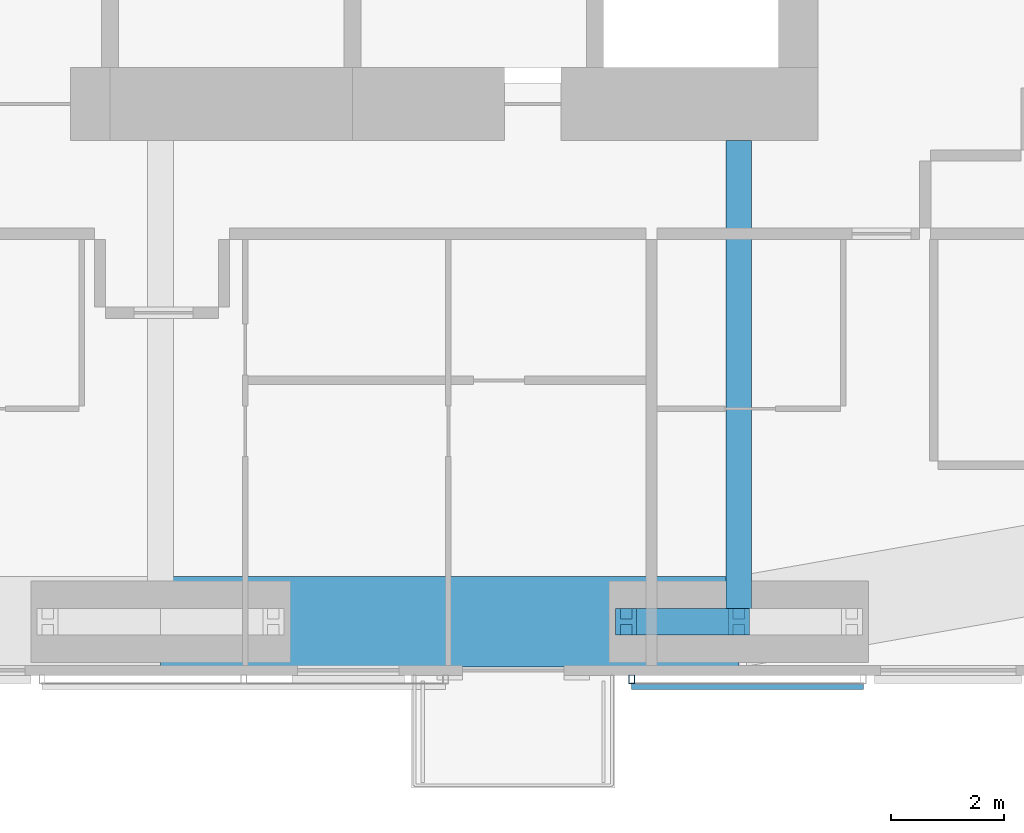
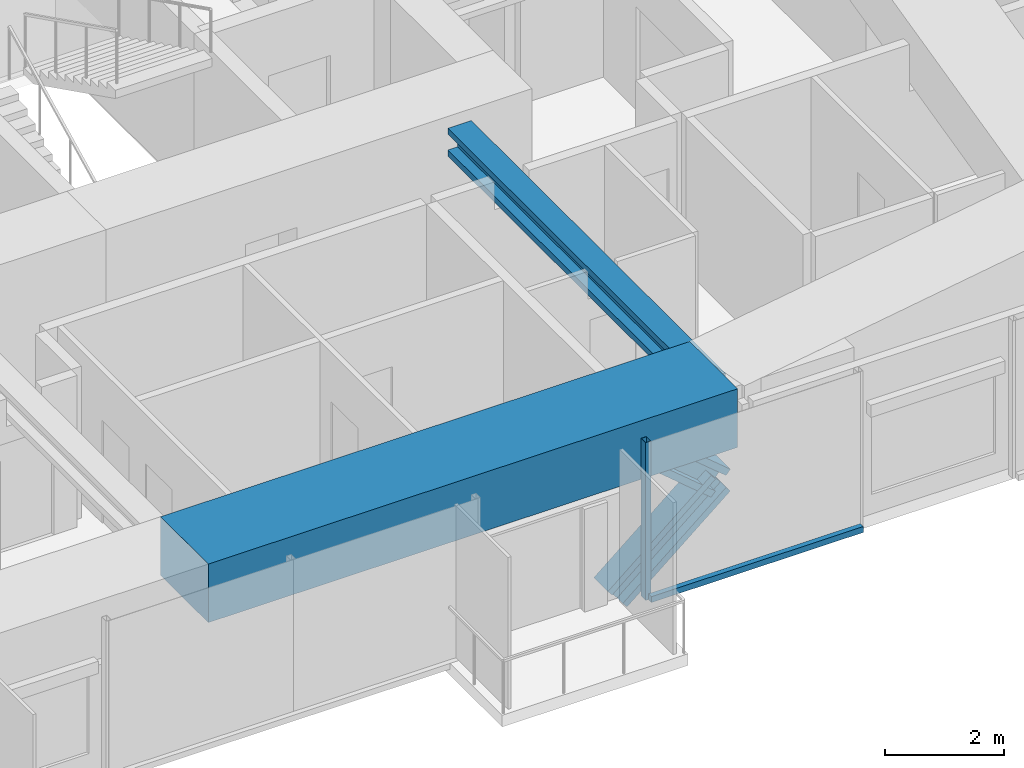
# One storey, part 4 of 22: 4 members, 2 beams, 1 element without a shape of its own.
"""IFC4 building model written with IfcOpenShell, lengths in metres."""

from ifc_helpers import new_model, si_unit, direction, frame, origin, origin_2d, place, context, subcontext, project, spatial, rectangle, hollow_rectangle, i_section, extrude, material, material_profile, profile_set, type_object, element, aggregate, save


model = new_model("IFC4")

# Units and contexts
model_context = context("Model", 3, precision=1e-05, world=origin(), true_north=direction((0.0, 1.0)))
body_context = subcontext(model_context, "Body", "Model", "MODEL_VIEW")
ifc_project = project(units=[si_unit("LENGTHUNIT", "METRE"), si_unit("AREAUNIT", "SQUARE_METRE"), si_unit("VOLUMEUNIT", "CUBIC_METRE"), si_unit("PLANEANGLEUNIT", "RADIAN"), si_unit("MASSUNIT", "GRAM", prefix="KILO")], contexts=[model_context])

# Site, building, storey
site_placement = place(None, origin())
site = spatial("IfcSite", under=ifc_project, at=site_placement, CompositionType="ELEMENT")
building_placement = place(site_placement, origin())
building = spatial("IfcBuilding", under=site, at=building_placement, Name="Jalousie Tower", CompositionType="ELEMENT")
storey_placement = place(building_placement, frame((0.0, 0.0, 177.800048828125)))
storey = spatial("IfcBuildingStorey", under=building, at=storey_placement, Name="L48", CompositionType="ELEMENT", Elevation=177.800048828125)

# Beam
ifc_material_1 = material(Name="Steel ASTM A992 Grade 50", Category="steel")
ifc_material_profile_1 = material_profile(ifc_material_1, i_section(OverallWidth=0.45458984375, OverallDepth=0.569091796875, WebThickness=0.077880859375, FlangeThickness=0.124755859375, at=origin_2d()), Name="W14X730")
ifc_profile_set_1 = profile_set([ifc_material_profile_1], Name="Steel ASTM A992 Grade 50")
beam_type_1 = type_object("IfcBeamType", Name="LEAN COLLECTOR W14X730", PredefinedType="BEAM", material=ifc_profile_set_1)
beam_1_placement = place(storey_placement, frame((42.75, 0.949951171875, 2.825439453125), z_axis=(0.0, 1.0, 0.0), x_axis=(-1.0, 0.0, 0.0)))
element("IfcBeam", 1, at=beam_1_placement, inside=storey, type_object=beam_type_1, Name="Lean collector under L49", PredefinedType="BEAM", context=body_context, shape_type="SweptSolid", body=[
    extrude(i_section(OverallWidth=0.45458984375, OverallDepth=0.569091796875, WebThickness=0.077880859375, FlangeThickness=0.124755859375, at=origin_2d()), origin(), (0.0, 0.0, 1.0), 8.525146484375),
])

# Members
ifc_material_2 = material(Name="Steel ASTM A992 Grade 50", Category="steel")
ifc_material_profile_2 = material_profile(ifc_material_2, i_section(OverallWidth=0.472412109375, OverallDepth=0.5791015625, WebThickness=0.094970703125, FlangeThickness=0.1298828125, at=origin_2d()), Name="W14X808")
ifc_profile_set_2 = profile_set([ifc_material_profile_2], Name="Steel ASTM A992 Grade 50")
member_type_1 = type_object("IfcMemberType", Name="PERIMETER BRACE W14X808", PredefinedType="BRACE", material=ifc_profile_set_2)
for number, where, z_axis, x_axis, name in (
    (2, (40.75, 0.949951171875, -0.60009765625), (0.766638753323, 0.0, 0.642078672674), (0.0, 1.0, 0.0), "Perimeter brace 04 L48 part 1"),
    (3, (42.75, 0.949951171875, 1.074951171875), (-0.766638753323, 0.0, 0.642078672674), (0.0, -1.0, 0.0), "Perimeter brace 04 L48 part 4"),
):
    element("IfcMember", number, at=place(storey_placement, frame(where, z_axis=z_axis, x_axis=x_axis)), inside=storey, type_object=member_type_1, Name=name, PredefinedType="BRACE", context=body_context, shape_type="SweptSolid", body=[
        extrude(i_section(OverallWidth=0.472412109375, OverallDepth=0.5791015625, WebThickness=0.094970703125, FlangeThickness=0.1298828125, at=origin_2d()), origin(), (0.0, 0.0, 1.0), 2.60888671875),
    ])

# Beam
ifc_material_3 = material(Name="Concrete f'c 40 MPa", Category="concrete")
ifc_material_profile_3 = material_profile(ifc_material_3, rectangle(XDim=1.60009765625, YDim=1.199951171875, at=origin_2d()), Name="RC 1600x1200")
ifc_profile_set_3 = profile_set([ifc_material_profile_3], Name="Concrete f'c 40 MPa")
beam_type_2 = type_object("IfcBeamType", Name="RC BEAM 1600x1200", PredefinedType="BEAM", material=ifc_profile_set_3)
beam_2_placement = place(storey_placement, frame((32.5, 0.949951171875, 2.75), z_axis=(1.0, 0.0, 0.0), x_axis=(0.0, 1.0, 0.0)))
element("IfcBeam", 4, at=beam_2_placement, inside=storey, type_object=beam_type_2, Name="Edge band beam 03-04 under L49", PredefinedType="BEAM", context=body_context, shape_type="SweptSolid", body=[
    extrude(rectangle(XDim=1.60009765625, YDim=1.199951171875, at=origin_2d()), origin(), (0.0, 0.0, 1.0), 10.25),
])

# Curtain wall, members
ifc_material_4 = material(Name="Perforated aluminium sheet", Category="aluminium")
curtain_wall_type = type_object("IfcCurtainWallType", Name="SOLAR SCREEN SS-1", PredefinedType="USERDEFINED", material=ifc_material_4)
curtain_wall_placement = place(storey_placement, origin())
curtain_wall = element("IfcCurtainWall", 5, at=curtain_wall_placement, inside=storey, type_object=curtain_wall_type, Name="Solar screen L48", ObjectType="SOLAR SCREEN SS-1", PredefinedType="USERDEFINED")
ifc_material_5 = material(Name="Steel ASTM A500 Grade C", Category="steel")
ifc_material_profile_4 = material_profile(ifc_material_5, hollow_rectangle(XDim=0.1015625, YDim=0.15234375, WallThickness=0.00634765625, at=origin_2d()), Name="HSS6X4X1/4")
ifc_profile_set_4 = profile_set([ifc_material_profile_4], Name="Steel ASTM A500 Grade C")
member_type_2 = type_object("IfcMemberType", Name="SOLAR SCREEN SS-1 MULLION", PredefinedType="MULLION", material=ifc_profile_set_4)
member_1_placement = place(storey_placement, frame((40.85009765625, -0.0712890625, -0.1201171875), z_axis=(0.0, 0.0, 1.0), x_axis=(1.0, 0.0, 0.0)))
member_1 = element("IfcMember", 6, at=member_1_placement, type_object=member_type_2, Name="SS1 post 1", PredefinedType="MULLION", context=body_context, shape_type="SweptSolid", body=[
    extrude(hollow_rectangle(XDim=0.1015625, YDim=0.15234375, WallThickness=0.00634765625, at=origin_2d()), origin(), (0.0, 0.0, 1.0), 3.22998046875),
])
ifc_material_6 = material(Name="Extruded aluminium screen rail", Category="aluminium")
ifc_material_profile_5 = material_profile(ifc_material_6, rectangle(XDim=0.1015625, YDim=0.1201171875, at=origin_2d()), Name="RAIL 102x120")
ifc_profile_set_5 = profile_set([ifc_material_profile_5], Name="Extruded aluminium screen rail")
member_type_3 = type_object("IfcMemberType", Name="SOLAR SCREEN SS-1 TRANSOM", PredefinedType="USERDEFINED", material=ifc_profile_set_5)
member_2_placement = place(storey_placement, frame((40.85009765625, -0.1982421875, -0.06005859375), z_axis=(1.0, 0.0, 0.0), x_axis=(0.0, 1.0, 0.0)))
member_2 = element("IfcMember", 7, at=member_2_placement, type_object=member_type_3, Name="SS1 rail", ObjectType="TRANSOM", PredefinedType="USERDEFINED", context=body_context, shape_type="SweptSolid", body=[
    extrude(rectangle(XDim=0.1015625, YDim=0.1201171875, at=origin_2d()), origin(), (0.0, 0.0, 1.0), 4.106689453125),
])
aggregate(curtain_wall, [member_1, member_2])

save(model, "model.ifc")
